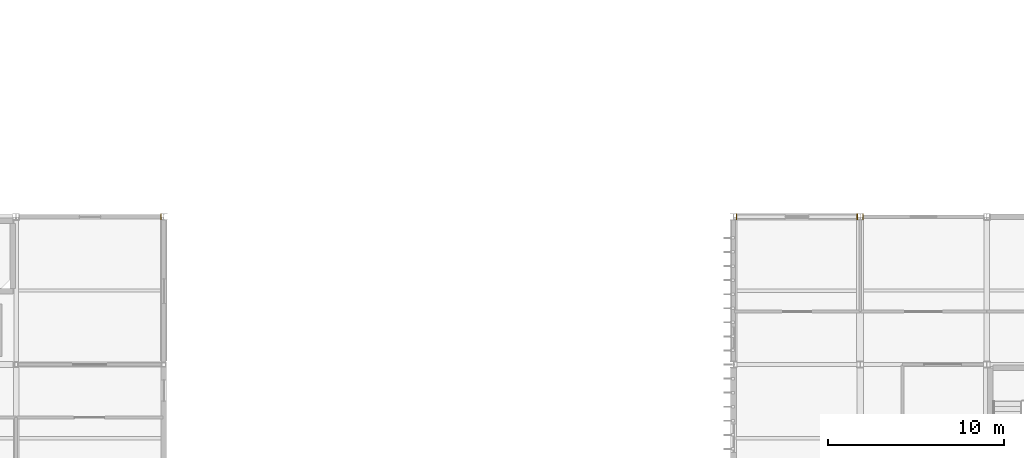
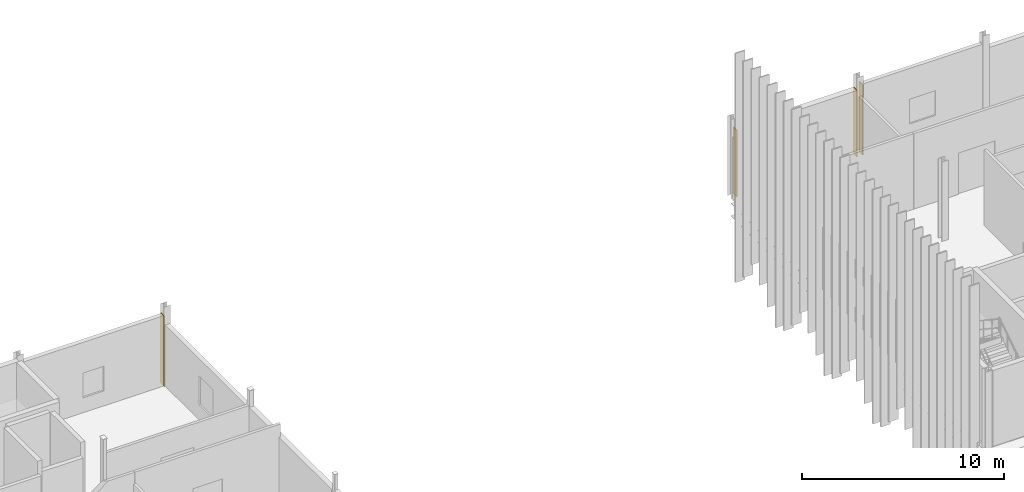
# One storey, part 43 of 45: 4 coverings.
"""IFC4 building model written with IfcOpenShell, lengths in metres."""

from ifc_helpers import new_model, si_unit, direction, frame, origin, place, context, subcontext, project, spatial, polyline, outline, extrude, material, layer, layer_set, type_object, element, save


model = new_model("IFC4")

# Units and contexts
model_context = context("Model", 3, precision=1e-05, world=origin(), true_north=direction((0.0, 1.0)))
body_context = subcontext(model_context, "Body", "Model", "MODEL_VIEW")
ifc_project = project(units=[si_unit("LENGTHUNIT", "METRE"), si_unit("AREAUNIT", "SQUARE_METRE"), si_unit("VOLUMEUNIT", "CUBIC_METRE"), si_unit("PLANEANGLEUNIT", "RADIAN"), si_unit("MASSUNIT", "GRAM", prefix="KILO")], contexts=[model_context])

# Site, building, storey
site_placement = place(None, origin())
site = spatial("IfcSite", under=ifc_project, at=site_placement, CompositionType="ELEMENT")
building_placement = place(site_placement, origin())
building = spatial("IfcBuilding", under=site, at=building_placement, Name="Calvrana Isthmian Art Gallery", CompositionType="ELEMENT")
storey_placement = place(building_placement, frame((0.0, 0.0, 19.800048828125)))
storey = spatial("IfcBuildingStorey", under=building, at=storey_placement, Name="L04", CompositionType="ELEMENT", Elevation=19.800048828125)

# Coverings
ifc_material = material(Name="Polychrome glazed terracotta", Category="masonry")
ifc_layer = layer(ifc_material, 0.0400390625, Name="Polychrome glazed terracotta")
ifc_layer_set = layer_set([ifc_layer], Name="Polychrome glazed terracotta")
covering_type = type_object("IfcCoveringType", Name="COV-CLAD-TERRA", PredefinedType="CLADDING", material=ifc_layer_set)
covering_1_placement = place(storey_placement, origin())
element("IfcCovering", 1, at=covering_1_placement, inside=storey, type_object=covering_type, Name="Column pocket weather closure L04-09-06-E", PredefinedType="CLADDING", context=body_context, shape_type="SweptSolid", body=[
    extrude(outline(polyline([(80.214599609375, 46.62353515625), (80.25439453125, 46.62353515625), (80.25439453125, 46.9765625), (80.214599609375, 46.9765625), (80.214599609375, 46.62353515625)])), origin(), (0.0, 0.0, 1.0), 4.255126953125),
])
covering_2_placement = place(storey_placement, origin())
element("IfcCovering", 2, at=covering_2_placement, inside=storey, type_object=covering_type, Name="Column pocket weather closure L04-14-06-W", PredefinedType="CLADDING", context=body_context, shape_type="SweptSolid", body=[
    extrude(outline(polyline([(112.945556640625, 46.62353515625), (112.985595703125, 46.62353515625), (112.985595703125, 46.9765625), (112.945556640625, 46.9765625), (112.945556640625, 46.62353515625)])), origin(), (0.0, 0.0, 1.0), 4.02685546875),
])
covering_3_placement = place(storey_placement, origin())
element("IfcCovering", 3, at=covering_3_placement, inside=storey, type_object=covering_type, Name="Column pocket weather closure L04-14-06-E", PredefinedType="CLADDING", context=body_context, shape_type="SweptSolid", body=[
    extrude(outline(polyline([(119.81591796875, 46.625), (119.85595703125, 46.625), (119.85595703125, 46.97509765625), (119.81591796875, 46.97509765625), (119.81591796875, 46.625)])), origin(), (0.0, 0.0, 1.0), 4.02685546875),
])
covering_4_placement = place(storey_placement, origin())
element("IfcCovering", 4, at=covering_4_placement, inside=storey, type_object=covering_type, Name="Column pocket weather closure L04-15-06-W", PredefinedType="CLADDING", context=body_context, shape_type="SweptSolid", body=[
    extrude(outline(polyline([(120.14404296875, 46.626953125), (120.18408203125, 46.626953125), (120.18408203125, 46.972900390625), (120.14404296875, 46.972900390625), (120.14404296875, 46.626953125)])), origin(), (0.0, 0.0, 1.0), 4.255126953125),
])

save(model, "model.ifc")
